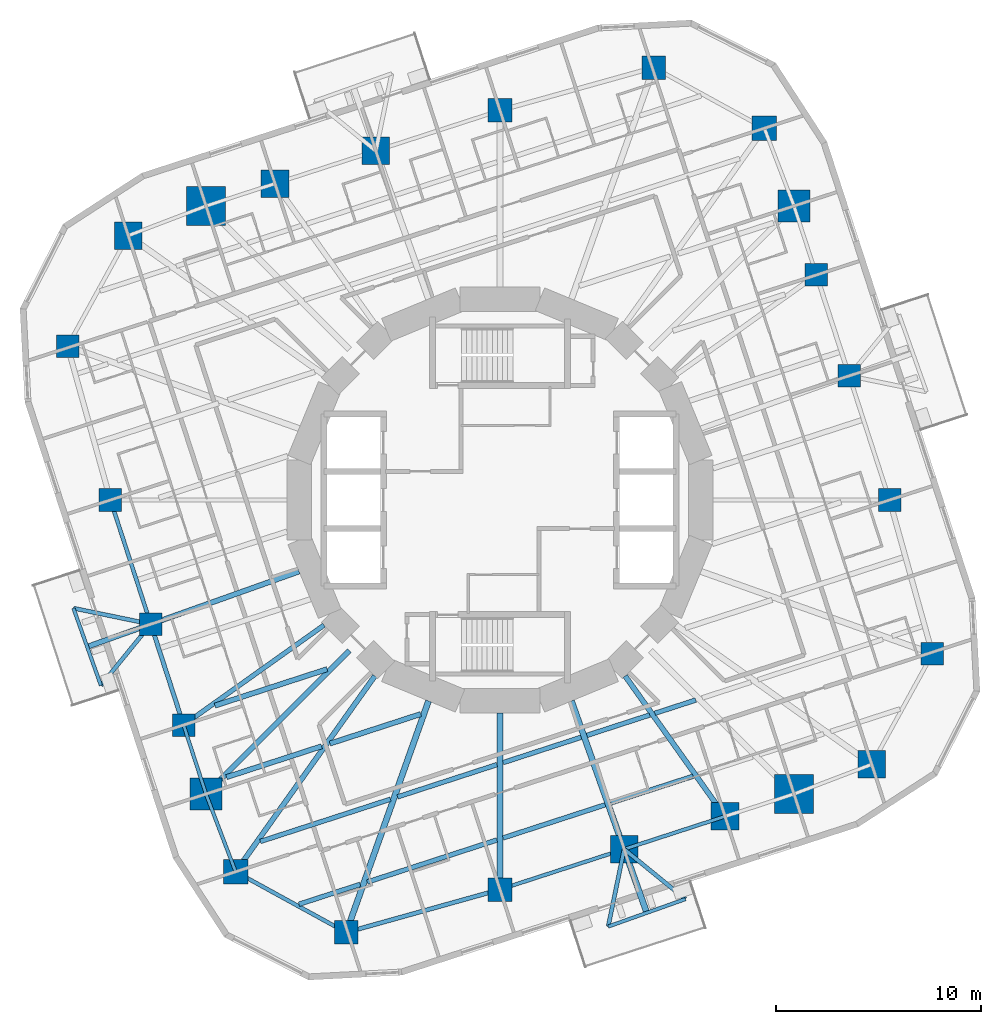
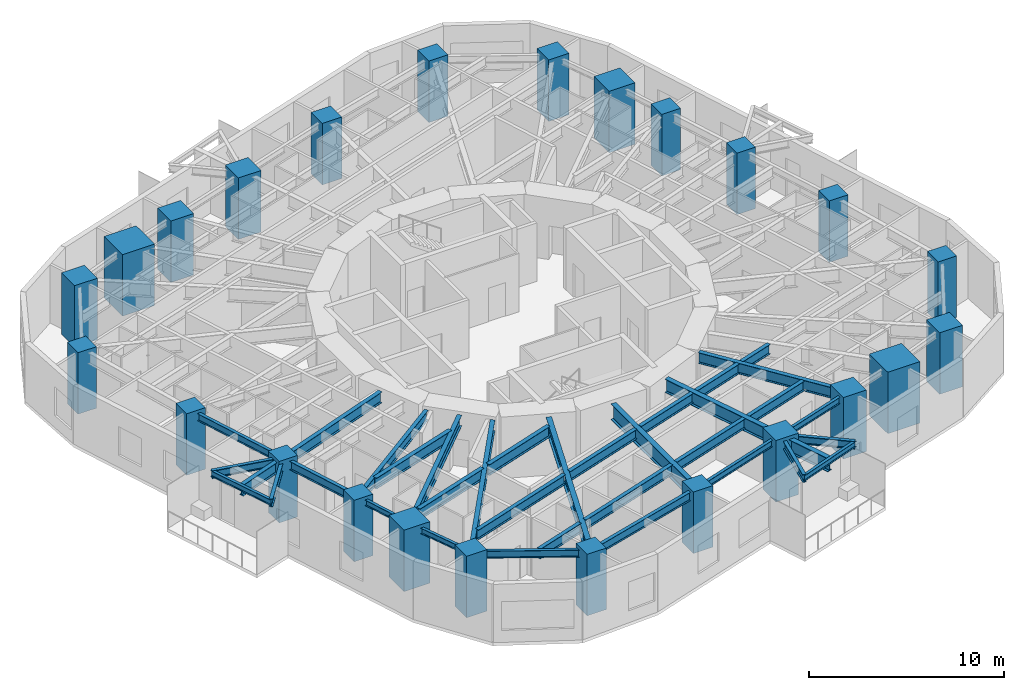
# One storey, part 1 of 13: 34 beams, 24 columns.
"""IFC4 building model written with IfcOpenShell, lengths in metres."""

from ifc_helpers import new_model, si_unit, direction, frame, origin, origin_2d, place, context, subcontext, project, spatial, rectangle, i_section, extrude, material, material_profile, profile_set, type_object, element, save


model = new_model("IFC4")

# Units and contexts
model_context = context("Model", 3, precision=1e-05, world=origin(), true_north=direction((0.0, 1.0)))
body_context = subcontext(model_context, "Body", "Model", "MODEL_VIEW")
ifc_project = project(units=[si_unit("LENGTHUNIT", "METRE"), si_unit("AREAUNIT", "SQUARE_METRE"), si_unit("VOLUMEUNIT", "CUBIC_METRE"), si_unit("PLANEANGLEUNIT", "RADIAN"), si_unit("MASSUNIT", "GRAM", prefix="KILO")], contexts=[model_context])

# Site, building, storey
site_placement = place(None, origin())
site = spatial("IfcSite", under=ifc_project, at=site_placement, CompositionType="ELEMENT")
building_placement = place(site_placement, origin())
building = spatial("IfcBuilding", under=site, at=building_placement, Name="Nakasero Lantern House", CompositionType="ELEMENT")
storey_placement = place(building_placement, frame((0.0, 0.0, 161.050048828125)))
storey = spatial("IfcBuildingStorey", under=building, at=storey_placement, Name="L39", CompositionType="ELEMENT", Elevation=161.050048828125)

# Columns
ifc_material_1 = material(Name="Concrete C50/60", Category="concrete")
ifc_material_profile_1 = material_profile(ifc_material_1, rectangle(XDim=1.550048828125, YDim=1.550048828125, at=origin_2d()), Name="RC 1550x1550")
ifc_profile_set_1 = profile_set([ifc_material_profile_1], Name="Concrete C50/60")
column_type_1 = type_object("IfcColumnType", Name="Mega column RC 1550x1550 C50/60", PredefinedType="COLUMN", material=ifc_profile_set_1)
for number, where, z_axis, x_axis, name in (
    (1, (14.3642578125, 14.3642578125, 0.0), (0.0, 0.0, 1.0), (1.0, 0.0, 0.0), "Column B4-C06 L39"),
    (2, (-14.3642578125, -14.3642578125, 0.0), (0.0, 0.0, 1.0), (1.0, 0.0, 0.0), "Column B4-C18 L39"),
):
    element("IfcColumn", number, at=place(storey_placement, frame(where, z_axis=z_axis, x_axis=x_axis)), inside=storey, type_object=column_type_1, Name=name, PredefinedType="COLUMN", context=body_context, shape_type="SweptSolid", body=[
        extrude(rectangle(XDim=1.550048828125, YDim=1.550048828125, at=origin_2d()), origin(), (0.0, 0.0, 1.0), 3.849853515625),
    ])
ifc_material_2 = material(Name="Concrete C50/60", Category="concrete")
ifc_material_profile_2 = material_profile(ifc_material_2, rectangle(XDim=1.89990234375, YDim=1.89990234375, at=origin_2d()), Name="RC 1900x1900")
ifc_profile_set_2 = profile_set([ifc_material_profile_2], Name="Concrete C50/60")
column_type_2 = type_object("IfcColumnType", Name="Mega column RC 1900x1900 C50/60", PredefinedType="COLUMN", material=ifc_profile_set_2)
for number, where, z_axis, x_axis, name in (
    (3, (-14.3642578125, 14.3642578125, 0.0), (0.0, 0.0, 1.0), (1.0, 0.0, 0.0), "Column B4-C12 L39"),
    (4, (14.3642578125, -14.3642578125, 0.0), (0.0, 0.0, 1.0), (1.0, 0.0, 0.0), "Column B4-C24 L39"),
):
    element("IfcColumn", number, at=place(storey_placement, frame(where, z_axis=z_axis, x_axis=x_axis)), inside=storey, type_object=column_type_2, Name=name, PredefinedType="COLUMN", context=body_context, shape_type="SweptSolid", body=[
        extrude(rectangle(XDim=1.89990234375, YDim=1.89990234375, at=origin_2d()), origin(), (0.0, 0.0, 1.0), 3.849853515625),
    ])
ifc_material_3 = material(Name="Concrete C50/60", Category="concrete")
ifc_material_profile_3 = material_profile(ifc_material_3, rectangle(XDim=1.10009765625, YDim=1.10009765625, at=origin_2d()), Name="RC 1100x1100")
ifc_profile_set_3 = profile_set([ifc_material_profile_3], Name="Concrete C50/60")
column_type_3 = type_object("IfcColumnType", Name="Ring column RC 1100x1100 C50/60", PredefinedType="COLUMN", material=ifc_profile_set_3)
for number, where, z_axis, x_axis, name in (
    (5, (21.129638671875, -7.5126953125, 0.0), (0.0, 0.0, 1.0), (1.0, 0.0, 0.0), "Column B4-C02 L39"),
    (6, (19.031494140625, 0.0, 0.0), (0.0, 0.0, 1.0), (1.0, 0.0, 0.0), "Column B4-C03 L39"),
    (7, (17.060546875, 6.06591796875, 0.0), (0.0, 0.0, 1.0), (1.0, 0.0, 0.0), "Column B4-C04 L39"),
    (8, (15.45947265625, 10.993408203125, 0.0), (0.0, 0.0, 1.0), (1.0, 0.0, 0.0), "Column B4-C05 L39"),
    (9, (-21.129638671875, 7.5126953125, 0.0), (0.0, 0.0, 1.0), (1.0, 0.0, 0.0), "Column B4-C14 L39"),
    (10, (-19.031494140625, 0.0, 0.0), (0.0, 0.0, 1.0), (1.0, 0.0, 0.0), "Column B4-C15 L39"),
    (11, (-17.060546875, -6.06591796875, 0.0), (0.0, 0.0, 1.0), (1.0, 0.0, 0.0), "Column B4-C16 L39"),
    (12, (-15.45947265625, -10.993408203125, 0.0), (0.0, 0.0, 1.0), (1.0, 0.0, 0.0), "Column B4-C17 L39"),
):
    element("IfcColumn", number, at=place(storey_placement, frame(where, z_axis=z_axis, x_axis=x_axis)), inside=storey, type_object=column_type_3, Name=name, PredefinedType="COLUMN", context=body_context, shape_type="SweptSolid", body=[
        extrude(rectangle(XDim=1.10009765625, YDim=1.10009765625, at=origin_2d()), origin(), (0.0, 0.0, 1.0), 3.849853515625),
    ])
ifc_material_4 = material(Name="Concrete C50/60", Category="concrete")
ifc_material_profile_4 = material_profile(ifc_material_4, rectangle(XDim=1.14990234375, YDim=1.14990234375, at=origin_2d()), Name="RC 1150x1150")
ifc_profile_set_4 = profile_set([ifc_material_profile_4], Name="Concrete C50/60")
column_type_4 = type_object("IfcColumnType", Name="Ring column RC 1150x1150 C50/60", PredefinedType="COLUMN", material=ifc_profile_set_4)
for number, where, z_axis, x_axis, name in (
    (13, (7.5126953125, 21.129638671875, 0.0), (0.0, 0.0, 1.0), (1.0, 0.0, 0.0), "Column B4-C08 L39"),
    (14, (0.0, 19.031494140625, 0.0), (0.0, 0.0, 1.0), (1.0, 0.0, 0.0), "Column B4-C09 L39"),
    (15, (-7.5126953125, -21.129638671875, 0.0), (0.0, 0.0, 1.0), (1.0, 0.0, 0.0), "Column B4-C20 L39"),
    (16, (0.0, -19.031494140625, 0.0), (0.0, 0.0, 1.0), (1.0, 0.0, 0.0), "Column B4-C21 L39"),
):
    element("IfcColumn", number, at=place(storey_placement, frame(where, z_axis=z_axis, x_axis=x_axis)), inside=storey, type_object=column_type_4, Name=name, PredefinedType="COLUMN", context=body_context, shape_type="SweptSolid", body=[
        extrude(rectangle(XDim=1.14990234375, YDim=1.14990234375, at=origin_2d()), origin(), (0.0, 0.0, 1.0), 3.849853515625),
    ])
ifc_material_5 = material(Name="Concrete C50/60", Category="concrete")
ifc_material_profile_5 = material_profile(ifc_material_5, rectangle(XDim=1.199951171875, YDim=1.199951171875, at=origin_2d()), Name="RC 1200x1200")
ifc_profile_set_5 = profile_set([ifc_material_profile_5], Name="Concrete C50/60")
column_type_5 = type_object("IfcColumnType", Name="Ring column RC 1200x1200 C50/60", PredefinedType="COLUMN", material=ifc_profile_set_5)
for number, where, z_axis, x_axis, name in (
    (17, (12.916015625, 18.1630859375, 0.0), (0.0, 0.0, 1.0), (1.0, 0.0, 0.0), "Column B4-C07 L39"),
    (18, (-12.916015625, -18.1630859375, 0.0), (0.0, 0.0, 1.0), (1.0, 0.0, 0.0), "Column B4-C19 L39"),
):
    element("IfcColumn", number, at=place(storey_placement, frame(where, z_axis=z_axis, x_axis=x_axis)), inside=storey, type_object=column_type_5, Name=name, PredefinedType="COLUMN", context=body_context, shape_type="SweptSolid", body=[
        extrude(rectangle(XDim=1.199951171875, YDim=1.199951171875, at=origin_2d()), origin(), (0.0, 0.0, 1.0), 3.849853515625),
    ])
ifc_material_6 = material(Name="Concrete C50/60", Category="concrete")
ifc_material_profile_6 = material_profile(ifc_material_6, rectangle(XDim=1.35009765625, YDim=1.35009765625, at=origin_2d()), Name="RC 1350x1350")
ifc_profile_set_6 = profile_set([ifc_material_profile_6], Name="Concrete C50/60")
column_type_6 = type_object("IfcColumnType", Name="Ring column RC 1350x1350 C50/60", PredefinedType="COLUMN", material=ifc_profile_set_6)
for number, where, z_axis, x_axis, name in (
    (19, (18.1630859375, -12.916015625, 0.0), (0.0, 0.0, 1.0), (1.0, 0.0, 0.0), "Column B4-C01 L39"),
    (20, (-6.06591796875, 17.060546875, 0.0), (0.0, 0.0, 1.0), (1.0, 0.0, 0.0), "Column B4-C10 L39"),
    (21, (-10.993408203125, 15.45947265625, 0.0), (0.0, 0.0, 1.0), (1.0, 0.0, 0.0), "Column B4-C11 L39"),
    (22, (-18.1630859375, 12.916015625, 0.0), (0.0, 0.0, 1.0), (1.0, 0.0, 0.0), "Column B4-C13 L39"),
    (23, (6.06591796875, -17.060546875, 0.0), (0.0, 0.0, 1.0), (1.0, 0.0, 0.0), "Column B4-C22 L39"),
    (24, (10.993408203125, -15.45947265625, 0.0), (0.0, 0.0, 1.0), (1.0, 0.0, 0.0), "Column B4-C23 L39"),
):
    element("IfcColumn", number, at=place(storey_placement, frame(where, z_axis=z_axis, x_axis=x_axis)), inside=storey, type_object=column_type_6, Name=name, PredefinedType="COLUMN", context=body_context, shape_type="SweptSolid", body=[
        extrude(rectangle(XDim=1.35009765625, YDim=1.35009765625, at=origin_2d()), origin(), (0.0, 0.0, 1.0), 3.849853515625),
    ])

# Beams
ifc_material_7 = material(Name="Steel S355", Category="steel")
ifc_material_profile_7 = material_profile(ifc_material_7, i_section(OverallWidth=0.199462890625, OverallDepth=0.491943359375, WebThickness=0.01806640625, FlangeThickness=0.031982421875, FilletRadius=0.01025390625, at=origin_2d()), Name="UB 457x191x161")
ifc_profile_set_7 = profile_set([ifc_material_profile_7], Name="Steel S355")
beam_type_1 = type_object("IfcBeamType", Name="Balcony splay beam UB 457x191x161", PredefinedType="BEAM", material=ifc_profile_set_7)
for number, where, z_axis, x_axis, name in (
    (25, (-17.060546875, -6.06591796875, 3.404052734375), (-0.632127727159, -0.774864205236, 0.0), (0.774864205236, -0.632127727159, 0.0), "Balcony splay beam L40 B4-C16A"),
    (26, (-17.060546875, -6.06591796875, 3.404052734375), (-0.979420272605, 0.201831438605, 0.0), (-0.201831438605, -0.979420272605, 0.0), "Balcony splay beam L40 B4-C16B"),
    (27, (6.06591796875, -17.060546875, 3.404052734375), (0.774864205236, -0.632127727159, 0.0), (0.632127727159, 0.774864205236, 0.0), "Balcony splay beam L40 B4-C22A"),
    (28, (6.06591796875, -17.060546875, 3.404052734375), (-0.201831438605, -0.979420272605, 0.0), (0.979420272605, -0.201831438605, 0.0), "Balcony splay beam L40 B4-C22B"),
):
    element("IfcBeam", number, at=place(storey_placement, frame(where, z_axis=z_axis, x_axis=x_axis)), inside=storey, type_object=beam_type_1, Name=name, PredefinedType="BEAM", context=body_context, shape_type="SweptSolid", body=[
        extrude(i_section(OverallWidth=0.199462890625, OverallDepth=0.491943359375, WebThickness=0.01806640625, FlangeThickness=0.031982421875, FilletRadius=0.01025390625, at=origin_2d()), origin(), (0.0, 0.0, 1.0), 3.858642578125),
    ])
ifc_material_8 = material(Name="Steel S355", Category="steel")
ifc_material_profile_8 = material_profile(ifc_material_8, i_section(OverallWidth=0.17138671875, OverallDepth=0.35498046875, WebThickness=0.00732421875, FlangeThickness=0.011474609375, FilletRadius=0.01025390625, at=origin_2d()), Name="UB 356x171x51")
ifc_profile_set_8 = profile_set([ifc_material_profile_8], Name="Steel S355")
beam_type_2 = type_object("IfcBeamType", Name="Balcony tie beam UB 356x171x51", PredefinedType="BEAM", material=ifc_profile_set_8)
for number, where, z_axis, x_axis, name in (
    (29, (-19.499755859375, -9.055908203125, 3.472412109375), (-0.335025321236, 0.942209124415, 0.0), (-0.942209124415, -0.335025321236, 0.0), "Balcony tie beam L40 B4-C16"),
    (30, (9.055908203125, -19.499755859375, 3.472412109375), (-0.942209124415, -0.335025321236, 0.0), (0.335025321236, -0.942209124415, 0.0), "Balcony tie beam L40 B4-C22"),
):
    element("IfcBeam", number, at=place(storey_placement, frame(where, z_axis=z_axis, x_axis=x_axis)), inside=storey, type_object=beam_type_2, Name=name, PredefinedType="BEAM", context=body_context, shape_type="SweptSolid", body=[
        extrude(i_section(OverallWidth=0.17138671875, OverallDepth=0.35498046875, WebThickness=0.00732421875, FlangeThickness=0.011474609375, FilletRadius=0.01025390625, at=origin_2d()), origin(), (0.0, 0.0, 1.0), 4.0),
    ])
ifc_material_9 = material(Name="Steel S355", Category="steel")
ifc_material_profile_9 = material_profile(ifc_material_9, i_section(OverallWidth=0.22900390625, OverallDepth=0.6123046875, WebThickness=0.011962890625, FlangeThickness=0.01953125, FilletRadius=0.0126953125, at=origin_2d()), Name="UB 610x229x125")
ifc_profile_set_9 = profile_set([ifc_material_profile_9], Name="Steel S355")
beam_type_3 = type_object("IfcBeamType", Name="Infill beam UB 610x229x125", PredefinedType="JOIST", material=ifc_profile_set_9)
beam_1_placement = place(storey_placement, frame((-9.823974609375, -19.75244140625, 3.34375), z_axis=(0.951054602662, 0.309022883872, 0.0), x_axis=(-0.309022883872, 0.951054602662, 0.0)))
element("IfcBeam", 31, at=beam_1_placement, inside=storey, type_object=beam_type_3, Name="Infill beam L40 03.1", PredefinedType="JOIST", context=body_context, shape_type="SweptSolid", body=[
    extrude(i_section(OverallWidth=0.22900390625, OverallDepth=0.6123046875, WebThickness=0.011962890625, FlangeThickness=0.01953125, FilletRadius=0.0126953125, at=origin_2d()), origin(), (0.0, 0.0, 1.0), 3.145263671875),
])
beam_2_placement = place(storey_placement, frame((-6.48193359375, -18.66650390625, 3.34375), z_axis=(0.951068556075, 0.308979937287, 0.0), x_axis=(-0.308979937287, 0.951068556075, 0.0)))
element("IfcBeam", 32, at=beam_2_placement, inside=storey, type_object=beam_type_3, Name="Infill beam L40 03.2", PredefinedType="JOIST", context=body_context, shape_type="SweptSolid", body=[
    extrude(i_section(OverallWidth=0.22900390625, OverallDepth=0.6123046875, WebThickness=0.011962890625, FlangeThickness=0.01953125, FilletRadius=0.0126953125, at=origin_2d()), origin(), (0.0, 0.0, 1.0), 6.65771484375),
])
beam_3_placement = place(storey_placement, frame((0.14990234375, -16.51171875, 3.34375), z_axis=(0.951061765699, 0.309000837904, 0.0), x_axis=(-0.309000837904, 0.951061765699, 0.0)))
element("IfcBeam", 33, at=beam_3_placement, inside=storey, type_object=beam_type_3, Name="Infill beam L40 03.3", PredefinedType="JOIST", context=body_context, shape_type="SweptSolid", body=[
    extrude(i_section(OverallWidth=0.22900390625, OverallDepth=0.6123046875, WebThickness=0.011962890625, FlangeThickness=0.01953125, FilletRadius=0.0126953125, at=origin_2d()), origin(), (0.0, 0.0, 1.0), 5.246337890625),
])
beam_4_placement = place(storey_placement, frame((5.41748046875, -14.80029296875, 3.34375), z_axis=(0.951057398427, 0.30901427944, 0.0), x_axis=(-0.30901427944, 0.951057398427, 0.0)))
element("IfcBeam", 34, at=beam_4_placement, inside=storey, type_object=beam_type_3, Name="Infill beam L40 03.4", PredefinedType="JOIST", context=body_context, shape_type="SweptSolid", body=[
    extrude(i_section(OverallWidth=0.22900390625, OverallDepth=0.6123046875, WebThickness=0.011962890625, FlangeThickness=0.01953125, FilletRadius=0.0126953125, at=origin_2d()), origin(), (0.0, 0.0, 1.0), 4.229248046875),
])
beam_5_placement = place(storey_placement, frame((-11.709228515625, -16.68505859375, 3.34375), z_axis=(0.951056080098, 0.30901833685, 0.0), x_axis=(-0.30901833685, 0.951056080098, 0.0)))
element("IfcBeam", 35, at=beam_5_placement, inside=storey, type_object=beam_type_3, Name="Infill beam L40 04.1", PredefinedType="JOIST", context=body_context, shape_type="SweptSolid", body=[
    extrude(i_section(OverallWidth=0.22900390625, OverallDepth=0.6123046875, WebThickness=0.011962890625, FlangeThickness=0.01953125, FilletRadius=0.0126953125, at=origin_2d()), origin(), (0.0, 0.0, 1.0), 6.68310546875),
])
beam_6_placement = place(storey_placement, frame((-5.00244140625, -14.505859375, 3.34375), z_axis=(0.951057977144, 0.309012498309, 0.0), x_axis=(-0.309012498309, 0.951057977144, 0.0)))
element("IfcBeam", 36, at=beam_6_placement, inside=storey, type_object=beam_type_3, Name="Infill beam L40 04.2", PredefinedType="JOIST", context=body_context, shape_type="SweptSolid", body=[
    extrude(i_section(OverallWidth=0.22900390625, OverallDepth=0.6123046875, WebThickness=0.011962890625, FlangeThickness=0.01953125, FilletRadius=0.0126953125, at=origin_2d()), origin(), (0.0, 0.0, 1.0), 5.102294921875),
])
beam_7_placement = place(storey_placement, frame((0.14990234375, -12.831787109375, 3.34375), z_axis=(0.95105910343, 0.309009031878, 0.0), x_axis=(-0.309009031878, 0.95105910343, 0.0)))
element("IfcBeam", 37, at=beam_7_placement, inside=storey, type_object=beam_type_3, Name="Infill beam L40 04.3", PredefinedType="JOIST", context=body_context, shape_type="SweptSolid", body=[
    extrude(i_section(OverallWidth=0.22900390625, OverallDepth=0.6123046875, WebThickness=0.011962890625, FlangeThickness=0.01953125, FilletRadius=0.0126953125, at=origin_2d()), origin(), (0.0, 0.0, 1.0), 4.0126953125),
])
beam_8_placement = place(storey_placement, frame((4.24462890625, -11.501220703125, 3.34375), z_axis=(0.951054080044, 0.309024492283, 0.0), x_axis=(-0.309024492283, 0.951054080044, 0.0)))
element("IfcBeam", 38, at=beam_8_placement, inside=storey, type_object=beam_type_3, Name="Infill beam L40 04.4", PredefinedType="JOIST", context=body_context, shape_type="SweptSolid", body=[
    extrude(i_section(OverallWidth=0.22900390625, OverallDepth=0.6123046875, WebThickness=0.011962890625, FlangeThickness=0.01953125, FilletRadius=0.0126953125, at=origin_2d()), origin(), (0.0, 0.0, 1.0), 3.227294921875),
])
beam_9_placement = place(storey_placement, frame((7.566650390625, -10.421875, 3.34375), z_axis=(0.951053739923, 0.30902553904, 0.0), x_axis=(-0.30902553904, 0.951053739923, 0.0)))
element("IfcBeam", 39, at=beam_9_placement, inside=storey, type_object=beam_type_3, Name="Infill beam L40 04.5", PredefinedType="JOIST", context=body_context, shape_type="SweptSolid", body=[
    extrude(i_section(OverallWidth=0.22900390625, OverallDepth=0.6123046875, WebThickness=0.011962890625, FlangeThickness=0.01953125, FilletRadius=0.0126953125, at=origin_2d()), origin(), (0.0, 0.0, 1.0), 2.09765625),
])
ifc_material_10 = material(Name="Steel S355", Category="steel")
ifc_material_profile_10 = material_profile(ifc_material_10, i_section(OverallWidth=0.253662109375, OverallDepth=0.68359375, WebThickness=0.012451171875, FlangeThickness=0.01904296875, FilletRadius=0.01513671875, at=origin_2d()), Name="UB 686x254x140")
ifc_profile_set_10 = profile_set([ifc_material_profile_10], Name="Steel S355")
beam_type_4 = type_object("IfcBeamType", Name="Infill beam UB 686x254x140", PredefinedType="JOIST", material=ifc_profile_set_10)
beam_10_placement = place(storey_placement, frame((-13.36279296875, -13.5419921875, 3.30810546875), z_axis=(0.951061574069, 0.309001427713, 0.0), x_axis=(-0.309001427713, 0.951061574069, 0.0)))
element("IfcBeam", 40, at=beam_10_placement, inside=storey, type_object=beam_type_4, Name="Infill beam L40 05.1", PredefinedType="JOIST", context=body_context, shape_type="SweptSolid", body=[
    extrude(i_section(OverallWidth=0.253662109375, OverallDepth=0.68359375, WebThickness=0.012451171875, FlangeThickness=0.01904296875, FilletRadius=0.01513671875, at=origin_2d()), origin(), (0.0, 0.0, 1.0), 4.8916015625),
])
beam_11_placement = place(storey_placement, frame((-8.305908203125, -11.89892578125, 3.30810546875), z_axis=(0.95106063111, 0.309004329989, 0.0), x_axis=(-0.309004329989, 0.95106063111, 0.0)))
element("IfcBeam", 41, at=beam_11_placement, inside=storey, type_object=beam_type_4, Name="Infill beam L40 05.2", PredefinedType="JOIST", context=body_context, shape_type="SweptSolid", body=[
    extrude(i_section(OverallWidth=0.253662109375, OverallDepth=0.68359375, WebThickness=0.012451171875, FlangeThickness=0.01904296875, FilletRadius=0.01513671875, at=origin_2d()), origin(), (0.0, 0.0, 1.0), 4.659912109375),
])
beam_12_placement = place(storey_placement, frame((-13.93017578125, -10.04638671875, 3.30810546875), z_axis=(0.951055211673, 0.309021009559, 0.0), x_axis=(-0.309021009559, 0.951055211673, 0.0)))
element("IfcBeam", 42, at=beam_12_placement, inside=storey, type_object=beam_type_4, Name="Infill beam L40 06.1", PredefinedType="JOIST", context=body_context, shape_type="SweptSolid", body=[
    extrude(i_section(OverallWidth=0.253662109375, OverallDepth=0.68359375, WebThickness=0.012451171875, FlangeThickness=0.01904296875, FilletRadius=0.01513671875, at=origin_2d()), origin(), (0.0, 0.0, 1.0), 5.769775390625),
])
ifc_material_11 = material(Name="Steel S355", Category="steel")
ifc_material_profile_11 = material_profile(ifc_material_11, i_section(OverallWidth=0.300048828125, OverallDepth=0.989990234375, WebThickness=0.0166015625, FlangeThickness=0.031005859375, FilletRadius=0.030029296875, at=origin_2d()), Name="UB 1016x305x272")
ifc_profile_set_11 = profile_set([ifc_material_profile_11], Name="Steel S355")
beam_type_5 = type_object("IfcBeamType", Name="Primary beam UB 1016x305x272, span 6 to 9 m", PredefinedType="BEAM", material=ifc_profile_set_11)
beam_13_placement = place(storey_placement, frame((0.0, -19.031494140625, 3.15478515625), z_axis=(0.0, 1.0, 0.0), x_axis=(-1.0, 0.0, 0.0)))
element("IfcBeam", 43, at=beam_13_placement, inside=storey, type_object=beam_type_5, Name="Primary beam L40 B4-C21", PredefinedType="BEAM", context=body_context, shape_type="SweptSolid", body=[
    extrude(i_section(OverallWidth=0.300048828125, OverallDepth=0.989990234375, WebThickness=0.0166015625, FlangeThickness=0.031005859375, FilletRadius=0.030029296875, at=origin_2d()), origin(), (0.0, 0.0, 1.0), 8.62353515625),
])
ifc_material_12 = material(Name="Steel S355", Category="steel")
ifc_material_profile_12 = material_profile(ifc_material_12, i_section(OverallWidth=0.22900390625, OverallDepth=0.6123046875, WebThickness=0.011962890625, FlangeThickness=0.01953125, FilletRadius=0.0126953125, at=origin_2d()), Name="UB 610x229x125")
ifc_profile_set_12 = profile_set([ifc_material_profile_12], Name="Steel S355")
beam_type_6 = type_object("IfcBeamType", Name="Primary beam UB 610x229x125, span 6 to 9 m", PredefinedType="BEAM", material=ifc_profile_set_12)
beam_14_placement = place(storey_placement, frame((-15.45947265625, -10.993408203125, 3.34375), z_axis=(0.81495106139, 0.579529781409, 0.0), x_axis=(-0.579529781409, 0.81495106139, 0.0)))
element("IfcBeam", 44, at=beam_14_placement, inside=storey, type_object=beam_type_6, Name="Primary beam L40 B4-C17", PredefinedType="BEAM", context=body_context, shape_type="SweptSolid", body=[
    extrude(i_section(OverallWidth=0.22900390625, OverallDepth=0.6123046875, WebThickness=0.011962890625, FlangeThickness=0.01953125, FilletRadius=0.0126953125, at=origin_2d()), origin(), (0.0, 0.0, 1.0), 8.41455078125),
])
ifc_material_13 = material(Name="Steel S355", Category="steel")
ifc_material_profile_13 = material_profile(ifc_material_13, i_section(OverallWidth=0.253662109375, OverallDepth=0.68359375, WebThickness=0.012451171875, FlangeThickness=0.01904296875, FilletRadius=0.01513671875, at=origin_2d()), Name="UB 686x254x140")
ifc_profile_set_13 = profile_set([ifc_material_profile_13], Name="Steel S355")
beam_type_7 = type_object("IfcBeamType", Name="Primary beam UB 686x254x140, span 6 to 9 m", PredefinedType="BEAM", material=ifc_profile_set_13)
beam_15_placement = place(storey_placement, frame((-20.169921875, -7.17138671875, 3.30810546875), z_axis=(0.942215625619, 0.335007036998, 0.0), x_axis=(-0.335007036998, 0.942215625619, 0.0)))
element("IfcBeam", 45, at=beam_15_placement, inside=storey, type_object=beam_type_7, Name="Primary beam L40 B4-C16", PredefinedType="BEAM", context=body_context, shape_type="SweptSolid", body=[
    extrude(i_section(OverallWidth=0.253662109375, OverallDepth=0.68359375, WebThickness=0.012451171875, FlangeThickness=0.01904296875, FilletRadius=0.01513671875, at=origin_2d()), origin(), (0.0, 0.0, 1.0), 10.9853515625),
])
beam_16_placement = place(storey_placement, frame((10.993408203125, -15.45947265625, 3.30810546875), z_axis=(-0.579529781409, 0.81495106139, 0.0), x_axis=(-0.81495106139, -0.579529781409, 0.0)))
element("IfcBeam", 46, at=beam_16_placement, inside=storey, type_object=beam_type_7, Name="Primary beam L40 B4-C23", PredefinedType="BEAM", context=body_context, shape_type="SweptSolid", body=[
    extrude(i_section(OverallWidth=0.253662109375, OverallDepth=0.68359375, WebThickness=0.012451171875, FlangeThickness=0.01904296875, FilletRadius=0.01513671875, at=origin_2d()), origin(), (0.0, 0.0, 1.0), 8.41455078125),
])
ifc_material_14 = material(Name="Steel S355", Category="steel")
ifc_material_profile_14 = material_profile(ifc_material_14, i_section(OverallWidth=0.253662109375, OverallDepth=0.68359375, WebThickness=0.012451171875, FlangeThickness=0.01904296875, FilletRadius=0.01513671875, at=origin_2d()), Name="UB 686x254x140")
ifc_profile_set_14 = profile_set([ifc_material_profile_14], Name="Steel S355")
beam_type_8 = type_object("IfcBeamType", Name="Primary beam UB 686x254x140, span 9 to 12 m", PredefinedType="BEAM", material=ifc_profile_set_14)
beam_17_placement = place(storey_placement, frame((-14.3642578125, -14.3642578125, 3.30810546875), z_axis=(0.707106781187, 0.707106781187, 0.0), x_axis=(-0.707106781187, 0.707106781187, 0.0)))
element("IfcBeam", 47, at=beam_17_placement, inside=storey, type_object=beam_type_8, Name="Primary beam L40 B4-C18", PredefinedType="BEAM", context=body_context, shape_type="SweptSolid", body=[
    extrude(i_section(OverallWidth=0.253662109375, OverallDepth=0.68359375, WebThickness=0.012451171875, FlangeThickness=0.01904296875, FilletRadius=0.01513671875, at=origin_2d()), origin(), (0.0, 0.0, 1.0), 9.906494140625),
])
beam_18_placement = place(storey_placement, frame((-12.916015625, -18.1630859375, 3.30810546875), z_axis=(0.579530236062, 0.814950738075, 0.0), x_axis=(-0.814950738075, 0.579530236062, 0.0)))
element("IfcBeam", 48, at=beam_18_placement, inside=storey, type_object=beam_type_8, Name="Primary beam L40 B4-C19", PredefinedType="BEAM", context=body_context, shape_type="SweptSolid", body=[
    extrude(i_section(OverallWidth=0.253662109375, OverallDepth=0.68359375, WebThickness=0.012451171875, FlangeThickness=0.01904296875, FilletRadius=0.01513671875, at=origin_2d()), origin(), (0.0, 0.0, 1.0), 11.73193359375),
])
ifc_material_15 = material(Name="Steel S355", Category="steel")
ifc_material_profile_15 = material_profile(ifc_material_15, i_section(OverallWidth=0.29248046875, OverallDepth=0.8408203125, WebThickness=0.0146484375, FlangeThickness=0.02685546875, FilletRadius=0.017822265625, at=origin_2d()), Name="UB 838x292x194")
ifc_profile_set_15 = profile_set([ifc_material_profile_15], Name="Steel S355")
beam_type_9 = type_object("IfcBeamType", Name="Primary beam UB 838x292x194, span 12 to 15 m", PredefinedType="BEAM", material=ifc_profile_set_15)
beam_19_placement = place(storey_placement, frame((-7.5126953125, -21.129638671875, 3.2294921875), z_axis=(0.335012877559, 0.942213548974, 0.0), x_axis=(-0.942213548974, 0.335012877559, 0.0)))
element("IfcBeam", 49, at=beam_19_placement, inside=storey, type_object=beam_type_9, Name="Primary beam L40 B4-C20", PredefinedType="BEAM", context=body_context, shape_type="SweptSolid", body=[
    extrude(i_section(OverallWidth=0.29248046875, OverallDepth=0.8408203125, WebThickness=0.0146484375, FlangeThickness=0.02685546875, FilletRadius=0.017822265625, at=origin_2d()), origin(), (0.0, 0.0, 1.0), 12.00390625),
])
ifc_material_16 = material(Name="Steel S355", Category="steel")
ifc_material_profile_16 = material_profile(ifc_material_16, i_section(OverallWidth=0.29248046875, OverallDepth=0.8408203125, WebThickness=0.0146484375, FlangeThickness=0.02685546875, FilletRadius=0.017822265625, at=origin_2d()), Name="UB 838x292x194")
ifc_profile_set_16 = profile_set([ifc_material_profile_16], Name="Steel S355")
beam_type_10 = type_object("IfcBeamType", Name="Primary beam UB 838x292x194, span 6 to 9 m", PredefinedType="BEAM", material=ifc_profile_set_16)
beam_20_placement = place(storey_placement, frame((7.17138671875, -20.169921875, 3.2294921875), z_axis=(-0.335007036998, 0.942215625619, 0.0), x_axis=(-0.942215625619, -0.335007036998, 0.0)))
element("IfcBeam", 50, at=beam_20_placement, inside=storey, type_object=beam_type_10, Name="Primary beam L40 B4-C22", PredefinedType="BEAM", context=body_context, shape_type="SweptSolid", body=[
    extrude(i_section(OverallWidth=0.29248046875, OverallDepth=0.8408203125, WebThickness=0.0146484375, FlangeThickness=0.02685546875, FilletRadius=0.017822265625, at=origin_2d()), origin(), (0.0, 0.0, 1.0), 10.9853515625),
])
ifc_material_17 = material(Name="Steel S355", Category="steel")
ifc_material_profile_17 = material_profile(ifc_material_17, i_section(OverallWidth=0.17138671875, OverallDepth=0.35498046875, WebThickness=0.00732421875, FlangeThickness=0.011474609375, FilletRadius=0.01025390625, at=origin_2d()), Name="UB 356x171x51")
ifc_profile_set_17 = profile_set([ifc_material_profile_17], Name="Steel S355")
beam_type_11 = type_object("IfcBeamType", Name="Ring beam UB 356x171x51", PredefinedType="BEAM", material=ifc_profile_set_17)
beam_21_placement = place(storey_placement, frame((-15.45947265625, -10.993408203125, 3.472412109375), z_axis=(0.309006636447, -0.951059881727, 0.0), x_axis=(0.951059881727, 0.309006636447, 0.0)))
element("IfcBeam", 51, at=beam_21_placement, inside=storey, type_object=beam_type_11, Name="Ring beam L40 B4-C17", PredefinedType="BEAM", context=body_context, shape_type="SweptSolid", body=[
    extrude(i_section(OverallWidth=0.17138671875, OverallDepth=0.35498046875, WebThickness=0.00732421875, FlangeThickness=0.011474609375, FilletRadius=0.01025390625, at=origin_2d()), origin(), (0.0, 0.0, 1.0), 3.544189453125),
])
beam_22_placement = place(storey_placement, frame((-14.3642578125, -14.3642578125, 3.472412109375), z_axis=(0.35622505813, -0.934400186194, 0.0), x_axis=(0.934400186194, 0.35622505813, 0.0)))
element("IfcBeam", 52, at=beam_22_placement, inside=storey, type_object=beam_type_11, Name="Ring beam L40 B4-C18", PredefinedType="BEAM", context=body_context, shape_type="SweptSolid", body=[
    extrude(i_section(OverallWidth=0.17138671875, OverallDepth=0.35498046875, WebThickness=0.00732421875, FlangeThickness=0.011474609375, FilletRadius=0.01025390625, at=origin_2d()), origin(), (0.0, 0.0, 1.0), 4.0654296875),
])
ifc_material_18 = material(Name="Steel S355", Category="steel")
ifc_material_profile_18 = material_profile(ifc_material_18, i_section(OverallWidth=0.177978515625, OverallDepth=0.406494140625, WebThickness=0.0078125, FlangeThickness=0.0126953125, FilletRadius=0.01025390625, at=origin_2d()), Name="UB 406x178x60")
ifc_profile_set_18 = profile_set([ifc_material_profile_18], Name="Steel S355")
beam_type_12 = type_object("IfcBeamType", Name="Ring beam UB 406x178x60", PredefinedType="BEAM", material=ifc_profile_set_18)
beam_23_placement = place(storey_placement, frame((6.06591796875, -17.060546875, 3.44677734375), z_axis=(0.95105449754, 0.309023207396, 0.0), x_axis=(-0.309023207396, 0.95105449754, 0.0)))
element("IfcBeam", 53, at=beam_23_placement, inside=storey, type_object=beam_type_12, Name="Ring beam L40 B4-C22", PredefinedType="BEAM", context=body_context, shape_type="SweptSolid", body=[
    extrude(i_section(OverallWidth=0.177978515625, OverallDepth=0.406494140625, WebThickness=0.0078125, FlangeThickness=0.0126953125, FilletRadius=0.01025390625, at=origin_2d()), origin(), (0.0, 0.0, 1.0), 5.18115234375),
])
ifc_material_19 = material(Name="Steel S355", Category="steel")
ifc_material_profile_19 = material_profile(ifc_material_19, i_section(OverallWidth=0.179443359375, OverallDepth=0.412841796875, WebThickness=0.009521484375, FlangeThickness=0.01611328125, FilletRadius=0.01025390625, at=origin_2d()), Name="UB 406x178x74")
ifc_profile_set_19 = profile_set([ifc_material_profile_19], Name="Steel S355")
beam_type_13 = type_object("IfcBeamType", Name="Ring beam UB 406x178x74", PredefinedType="BEAM", material=ifc_profile_set_19)
beam_24_placement = place(storey_placement, frame((0.0, -19.031494140625, 3.443603515625), z_axis=(0.951056007502, 0.309018560274, 0.0), x_axis=(-0.309018560274, 0.951056007502, 0.0)))
element("IfcBeam", 54, at=beam_24_placement, inside=storey, type_object=beam_type_13, Name="Ring beam L40 B4-C21", PredefinedType="BEAM", context=body_context, shape_type="SweptSolid", body=[
    extrude(i_section(OverallWidth=0.179443359375, OverallDepth=0.412841796875, WebThickness=0.009521484375, FlangeThickness=0.01611328125, FilletRadius=0.01025390625, at=origin_2d()), origin(), (0.0, 0.0, 1.0), 6.378173828125),
])
ifc_material_20 = material(Name="Steel S355", Category="steel")
ifc_material_profile_20 = material_profile(ifc_material_20, i_section(OverallWidth=0.18994140625, OverallDepth=0.453369140625, WebThickness=0.008544921875, FlangeThickness=0.0126953125, FilletRadius=0.01025390625, at=origin_2d()), Name="UB 457x191x67")
ifc_profile_set_20 = profile_set([ifc_material_profile_20], Name="Steel S355")
beam_type_14 = type_object("IfcBeamType", Name="Ring beam UB 457x191x67", PredefinedType="BEAM", material=ifc_profile_set_20)
beam_25_placement = place(storey_placement, frame((-19.031494140625, 0.0, 3.42333984375), z_axis=(0.309018560274, -0.951056007502, 0.0), x_axis=(0.951056007502, 0.309018560274, 0.0)))
element("IfcBeam", 55, at=beam_25_placement, inside=storey, type_object=beam_type_14, Name="Ring beam L40 B4-C15", PredefinedType="BEAM", context=body_context, shape_type="SweptSolid", body=[
    extrude(i_section(OverallWidth=0.18994140625, OverallDepth=0.453369140625, WebThickness=0.008544921875, FlangeThickness=0.0126953125, FilletRadius=0.01025390625, at=origin_2d()), origin(), (0.0, 0.0, 1.0), 6.378173828125),
])
beam_26_placement = place(storey_placement, frame((-12.916015625, -18.1630859375, 3.42333984375), z_axis=(0.876576912681, -0.481261795861, 0.0), x_axis=(0.481261795861, 0.876576912681, 0.0)))
element("IfcBeam", 56, at=beam_26_placement, inside=storey, type_object=beam_type_14, Name="Ring beam L40 B4-C19", PredefinedType="BEAM", context=body_context, shape_type="SweptSolid", body=[
    extrude(i_section(OverallWidth=0.18994140625, OverallDepth=0.453369140625, WebThickness=0.008544921875, FlangeThickness=0.0126953125, FilletRadius=0.01025390625, at=origin_2d()), origin(), (0.0, 0.0, 1.0), 6.1640625),
])
ifc_material_21 = material(Name="Steel S355", Category="steel")
ifc_material_profile_21 = material_profile(ifc_material_21, i_section(OverallWidth=0.2099609375, OverallDepth=0.53662109375, WebThickness=0.0107421875, FlangeThickness=0.017333984375, FilletRadius=0.0126953125, at=origin_2d()), Name="UB 533x210x101")
ifc_profile_set_21 = profile_set([ifc_material_profile_21], Name="Steel S355")
beam_type_15 = type_object("IfcBeamType", Name="Ring beam UB 533x210x101", PredefinedType="BEAM", material=ifc_profile_set_21)
beam_27_placement = place(storey_placement, frame((-17.060546875, -6.06591796875, 3.381591796875), z_axis=(0.309023207396, -0.95105449754, 0.0), x_axis=(0.95105449754, 0.309023207396, 0.0)))
element("IfcBeam", 57, at=beam_27_placement, inside=storey, type_object=beam_type_15, Name="Ring beam L40 B4-C16", PredefinedType="BEAM", context=body_context, shape_type="SweptSolid", body=[
    extrude(i_section(OverallWidth=0.2099609375, OverallDepth=0.53662109375, WebThickness=0.0107421875, FlangeThickness=0.017333984375, FilletRadius=0.0126953125, at=origin_2d()), origin(), (0.0, 0.0, 1.0), 5.18115234375),
])
ifc_material_22 = material(Name="Steel S355", Category="steel")
ifc_material_profile_22 = material_profile(ifc_material_22, i_section(OverallWidth=0.208740234375, OverallDepth=0.5283203125, WebThickness=0.009521484375, FlangeThickness=0.01318359375, FilletRadius=0.0126953125, at=origin_2d()), Name="UB 533x210x82")
ifc_profile_set_22 = profile_set([ifc_material_profile_22], Name="Steel S355")
beam_type_16 = type_object("IfcBeamType", Name="Ring beam UB 533x210x82", PredefinedType="BEAM", material=ifc_profile_set_22)
beam_28_placement = place(storey_placement, frame((-7.5126953125, -21.129638671875, 3.3857421875), z_axis=(0.963143892339, 0.268986696047, 0.0), x_axis=(-0.268986696047, 0.963143892339, 0.0)))
element("IfcBeam", 58, at=beam_28_placement, inside=storey, type_object=beam_type_16, Name="Ring beam L40 B4-C20", PredefinedType="BEAM", context=body_context, shape_type="SweptSolid", body=[
    extrude(i_section(OverallWidth=0.208740234375, OverallDepth=0.5283203125, WebThickness=0.009521484375, FlangeThickness=0.01318359375, FilletRadius=0.0126953125, at=origin_2d()), origin(), (0.0, 0.0, 1.0), 7.80029296875),
])

save(model, "model.ifc")
